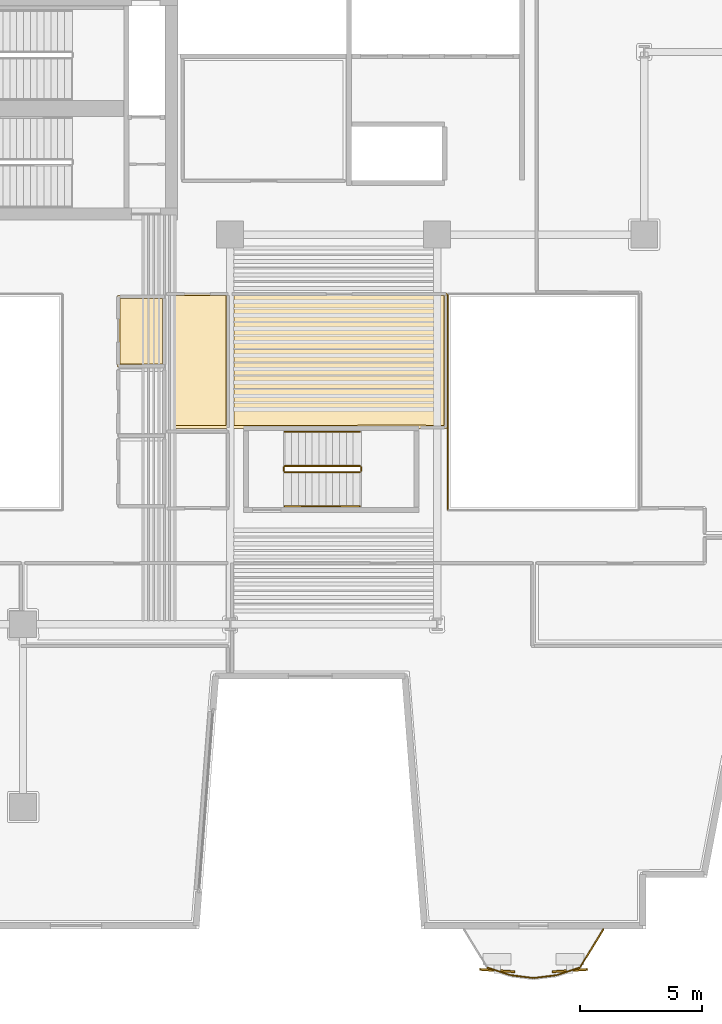
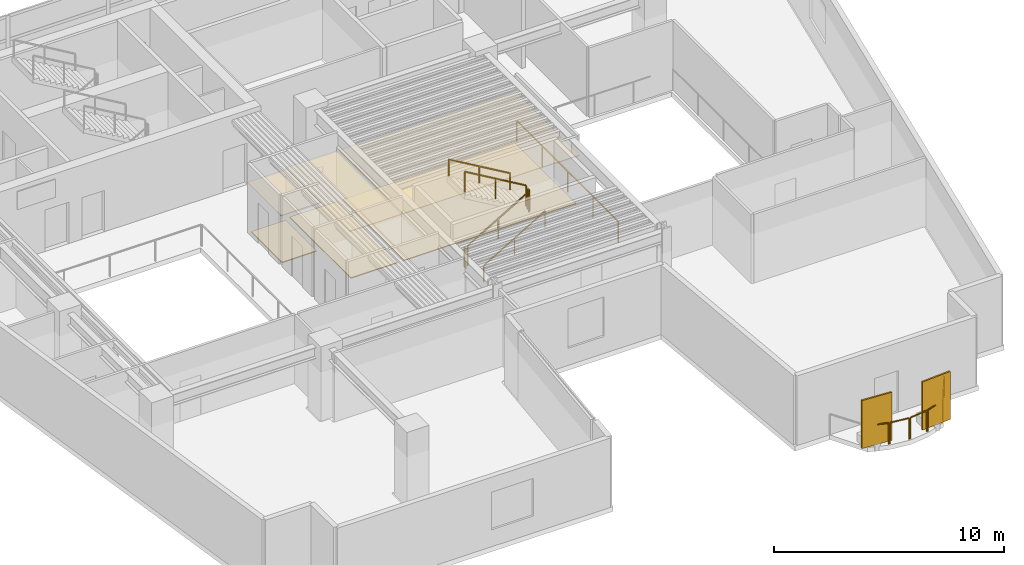
# One storey, part 10 of 12: 12 railings, 6 coverings, 2 shading devices.
"""IFC4 building model written with IfcOpenShell, lengths in metres."""

from ifc_helpers import new_model, si_unit, direction, frame, origin, origin_2d, place, context, subcontext, project, spatial, polyline, rectangle, outline, extrude, material, layer, layer_set, type_object, element, save


model = new_model("IFC4")

# Units and contexts
model_context = context("Model", 3, precision=1e-05, world=origin(), true_north=direction((0.0, 1.0)))
body_context = subcontext(model_context, "Body", "Model", "MODEL_VIEW")
ifc_project = project(units=[si_unit("LENGTHUNIT", "METRE"), si_unit("AREAUNIT", "SQUARE_METRE"), si_unit("VOLUMEUNIT", "CUBIC_METRE"), si_unit("PLANEANGLEUNIT", "RADIAN"), si_unit("MASSUNIT", "GRAM", prefix="KILO")], contexts=[model_context])

# Site, building, storey
site_placement = place(None, origin())
site = spatial("IfcSite", under=ifc_project, at=site_placement, CompositionType="ELEMENT")
building_placement = place(site_placement, origin())
building = spatial("IfcBuilding", under=site, at=building_placement, Name="Caeloran Harvest Quay", CompositionType="ELEMENT")
storey_placement = place(building_placement, frame((0.0, 0.0, 111.39990234375)))
storey = spatial("IfcBuildingStorey", under=building, at=storey_placement, Name="L25", CompositionType="ELEMENT", Elevation=111.39990234375)

# Coverings
ifc_material_1 = material(Name="Perforated Mineral-Fibre Acoustic Ceiling Tile", Category="ceiling")
ifc_layer_1 = layer(ifc_material_1, 0.0400390625, Name="Perforated Mineral-Fibre Acoustic Ceiling Tile")
ifc_layer_set_1 = layer_set([ifc_layer_1], Name="Perforated Mineral-Fibre Acoustic Ceiling Tile")
covering_type_1 = type_object("IfcCoveringType", Name="COV-CEILING-ACOUSTIC", PredefinedType="CEILING", material=ifc_layer_set_1)
covering_1_placement = place(storey_placement, frame((0.0, 0.0, 2.60009765625)))
element("IfcCovering", 1, at=covering_1_placement, inside=storey, type_object=covering_type_1, Name="L25 Male Washroom WC Acoustic Ceiling", PredefinedType="CEILING", context=body_context, shape_type="SweptSolid", body=[
    extrude(outline(polyline([(22.840087890625, 25.56005859375), (20.8701171875, 25.56005859375), (20.8701171875, 28.489990234375), (22.840087890625, 28.489990234375), (22.840087890625, 25.56005859375)])), origin(), (0.0, 0.0, 1.0), 0.0400390625),
])
covering_2_placement = place(storey_placement, frame((0.0, 0.0, 2.60009765625)))
element("IfcCovering", 2, at=covering_2_placement, inside=storey, type_object=covering_type_1, Name="Instrument Calibration Laboratory Acoustic Ceiling", PredefinedType="CEILING", context=body_context, shape_type="SweptSolid", body=[
    extrude(outline(polyline([(22.8701171875, 28.512939453125), (22.85009765625, 28.52001953125), (22.85009765625, 28.610107421875), (25.4599609375, 28.610107421875), (25.4599609375, 23.0400390625), (22.8701171875, 23.0400390625), (22.8701171875, 28.512939453125)])), origin(), (0.0, 0.0, 1.0), 0.0400390625),
])
covering_3_placement = place(storey_placement, frame((0.0, 0.0, 2.60009765625)))
element("IfcCovering", 3, at=covering_3_placement, inside=storey, type_object=covering_type_1, Name="Agri-Robotics Open Research Workspace 8 Acoustic Ceiling", PredefinedType="CEILING", context=body_context, shape_type="SweptSolid", body=[
    extrude(outline(polyline([(26.13720703125, 23.06005859375), (26.1298828125, 23.0400390625), (25.5400390625, 23.0400390625), (25.5400390625, 28.610107421875), (34.409912109375, 28.610107421875), (34.409912109375, 23.0400390625), (33.170166015625, 23.0400390625), (33.162841796875, 23.06005859375), (26.13720703125, 23.06005859375)])), origin(), (0.0, 0.0, 1.0), 0.0400390625),
])
ifc_material_2 = material(Name="Calcium-Sulphate Raised Access Floor and Terrazzo Finish", Category="flooring")
ifc_layer_2 = layer(ifc_material_2, 0.050048828125, Name="Calcium-Sulphate Raised Access Floor and Terrazzo Finish")
ifc_layer_set_2 = layer_set([ifc_layer_2], Name="Calcium-Sulphate Raised Access Floor and Terrazzo Finish")
covering_type_2 = type_object("IfcCoveringType", Name="COV-FLOOR-RAISED", PredefinedType="FLOORING", material=ifc_layer_set_2)
covering_4_placement = place(storey_placement, origin())
element("IfcCovering", 4, at=covering_4_placement, inside=storey, type_object=covering_type_2, Name="L25 Male Washroom WC Raised Finish Flooring", PredefinedType="FLOORING", context=body_context, shape_type="SweptSolid", body=[
    extrude(outline(polyline([(22.719970703125, 25.679931640625), (20.989990234375, 25.679931640625), (20.989990234375, 28.3701171875), (22.719970703125, 28.3701171875), (22.719970703125, 25.679931640625)])), origin(), (0.0, 0.0, 1.0), 0.050048828125),
])
covering_5_placement = place(storey_placement, origin())
element("IfcCovering", 5, at=covering_5_placement, inside=storey, type_object=covering_type_2, Name="Instrument Calibration Laboratory Raised Finish Flooring", PredefinedType="FLOORING", context=body_context, shape_type="SweptSolid", body=[
    extrude(outline(polyline([(22.989990234375, 28.489990234375), (25.340087890625, 28.489990234375), (25.340087890625, 23.159912109375), (22.989990234375, 23.159912109375), (22.989990234375, 28.489990234375)])), origin(), (0.0, 0.0, 1.0), 0.050048828125),
])
covering_6_placement = place(storey_placement, origin())
element("IfcCovering", 6, at=covering_6_placement, inside=storey, type_object=covering_type_2, Name="Agri-Robotics Open Research Workspace 8 Raised Finish Flooring", PredefinedType="FLOORING", context=body_context, shape_type="SweptSolid", body=[
    extrude(outline(polyline([(33.169921875, 23.179931640625), (25.659912109375, 23.159912109375), (25.659912109375, 28.489990234375), (34.2900390625, 28.489990234375), (34.2900390625, 23.159912109375), (33.169921875, 23.179931640625)])), origin(), (0.0, 0.0, 1.0), 0.050048828125),
])

# Railings
ifc_material_3 = material(Name="Powder-Coated Steel Post and Laminated Glass Guardrail", Category="steel")
ifc_layer_3 = layer(ifc_material_3, 0.06005859375, Name="Powder-Coated Steel Post and Laminated Glass Guardrail")
ifc_layer_set_3 = layer_set([ifc_layer_3], Name="Powder-Coated Steel Post and Laminated Glass Guardrail")
railing_type_1 = type_object("IfcRailingType", Name="GUARD-ATRIUM-1150", PredefinedType="GUARDRAIL", material=ifc_layer_set_3)
railing_1_placement = place(storey_placement, frame((34.429931640625, 28.5380859375, 0.0)))
element("IfcRailing", 7, at=railing_1_placement, inside=storey, type_object=railing_type_1, Name="L25 East Botanical Lightwell Guardrail Seg 4", PredefinedType="GUARDRAIL", context=body_context, shape_type="SweptSolid", body=[
    extrude(rectangle(XDim=0.048095703125, YDim=0.048095703125, at=origin_2d()), frame((0.0, 0.0, 1.1259765625), z_axis=(0.0, -1.0, 0.0), x_axis=(1.0, 0.0, 0.0)), (0.0, 0.0, 1.0), 8.826171875),
    extrude(rectangle(XDim=0.0419921875, YDim=0.0419921875, at=origin_2d()), origin(), (0.0, 0.0, 1.0), 1.101806640625),
    extrude(rectangle(XDim=0.0419921875, YDim=0.0419921875, at=origin_2d()), frame((0.0, -2.20654296875, 0.0)), (0.0, 0.0, 1.0), 1.101806640625),
    extrude(rectangle(XDim=0.0419921875, YDim=0.0419921875, at=origin_2d()), frame((0.0, -4.4130859375, 0.0)), (0.0, 0.0, 1.0), 1.101806640625),
    extrude(rectangle(XDim=0.0419921875, YDim=0.0419921875, at=origin_2d()), frame((0.0, -6.61962890625, 0.0)), (0.0, 0.0, 1.0), 1.101806640625),
    extrude(rectangle(XDim=0.0419921875, YDim=0.0419921875, at=origin_2d()), frame((0.0, -8.826171875, 0.0)), (0.0, 0.0, 1.0), 1.101806640625),
])
ifc_material_4 = material(Name="Laminated Safety Glass and Stainless Steel 316", Category="steel")
ifc_layer_4 = layer(ifc_material_4, 0.06005859375, Name="Laminated Safety Glass and Stainless Steel 316")
ifc_layer_set_4 = layer_set([ifc_layer_4], Name="Laminated Safety Glass and Stainless Steel 316")
railing_type_2 = type_object("IfcRailingType", Name="GUARD-BALUSTRADE-1150", PredefinedType="BALUSTRADE", material=ifc_layer_set_4)
railing_2_placement = place(storey_placement, frame((40.825927734375, 2.47998046875, 0.0)))
element("IfcRailing", 8, at=railing_2_placement, inside=storey, type_object=railing_type_2, Name="L25 Planted Balcony Perimeter Balustrade Guard Seg 1", PredefinedType="BALUSTRADE", context=body_context, shape_type="SweptSolid", body=[
    extrude(rectangle(XDim=0.048095703125, YDim=0.048095703125, at=origin_2d()), frame((0.0, 0.0, 1.1259765625), z_axis=(-0.522460171992, -0.852663690257, 0.0), x_axis=(0.852663690257, -0.522460171992, 0.0)), (0.0, 0.0, 1.0), 1.798095703125),
    extrude(rectangle(XDim=0.0419921875, YDim=0.0419921875, at=origin_2d()), origin(), (0.0, 0.0, 1.0), 1.101806640625),
    extrude(rectangle(XDim=0.0419921875, YDim=0.0419921875, at=origin_2d()), frame((-0.939453125, -1.533203125, 0.0)), (0.0, 0.0, 1.0), 1.101806640625),
])
railing_3_placement = place(storey_placement, frame((39.839599609375, 0.9091796875, 0.0)))
element("IfcRailing", 9, at=railing_3_placement, inside=storey, type_object=railing_type_2, Name="L25 Planted Balcony Perimeter Balustrade Guard Seg 2", PredefinedType="BALUSTRADE", context=body_context, shape_type="SweptSolid", body=[
    extrude(rectangle(XDim=0.048095703125, YDim=0.048095703125, at=origin_2d()), frame((0.0, 0.0, 1.1259765625), z_axis=(-0.947644813733, -0.31932633309, 0.0), x_axis=(0.31932633309, -0.947644813733, 0.0)), (0.0, 0.0, 1.0), 0.945068359375),
    extrude(rectangle(XDim=0.0419921875, YDim=0.0419921875, at=origin_2d()), origin(), (0.0, 0.0, 1.0), 1.101806640625),
    extrude(rectangle(XDim=0.0419921875, YDim=0.0419921875, at=origin_2d()), frame((-0.8955078125, -0.3017578125, 0.0)), (0.0, 0.0, 1.0), 1.101806640625),
])
railing_4_placement = place(storey_placement, frame((38.8818359375, 0.59326171875, 0.0)))
element("IfcRailing", 10, at=railing_4_placement, inside=storey, type_object=railing_type_2, Name="L25 Planted Balcony Perimeter Balustrade Guard Seg 3", PredefinedType="BALUSTRADE", context=body_context, shape_type="SweptSolid", body=[
    extrude(rectangle(XDim=0.048095703125, YDim=0.048095703125, at=origin_2d()), frame((0.0, 0.0, 1.1259765625), z_axis=(-0.992444026778, -0.122698222129, 0.0), x_axis=(0.122698222129, -0.992444026778, 0.0)), (0.0, 0.0, 1.0), 0.8994140625),
    extrude(rectangle(XDim=0.0419921875, YDim=0.0419921875, at=origin_2d()), origin(), (0.0, 0.0, 1.0), 1.101806640625),
    extrude(rectangle(XDim=0.0419921875, YDim=0.0419921875, at=origin_2d()), frame((-0.892578125, -0.1103515625, 0.0)), (0.0, 0.0, 1.0), 1.101806640625),
])
railing_5_placement = place(storey_placement, frame((37.92578125, 0.48291015625, 0.0)))
element("IfcRailing", 11, at=railing_5_placement, inside=storey, type_object=railing_type_2, Name="L25 Planted Balcony Perimeter Balustrade Guard Seg 4", PredefinedType="BALUSTRADE", context=body_context, shape_type="SweptSolid", body=[
    extrude(rectangle(XDim=0.048095703125, YDim=0.048095703125, at=origin_2d()), frame((0.0, 0.0, 1.1259765625), z_axis=(-0.992444026778, 0.122698222129, 0.0), x_axis=(-0.122698222129, -0.992444026778, 0.0)), (0.0, 0.0, 1.0), 0.8994140625),
    extrude(rectangle(XDim=0.0419921875, YDim=0.0419921875, at=origin_2d()), origin(), (0.0, 0.0, 1.0), 1.101806640625),
    extrude(rectangle(XDim=0.0419921875, YDim=0.0419921875, at=origin_2d()), frame((-0.892578125, 0.1103515625, 0.0)), (0.0, 0.0, 1.0), 1.101806640625),
])
railing_6_placement = place(storey_placement, frame((36.970947265625, 0.607421875, 0.0)))
element("IfcRailing", 12, at=railing_6_placement, inside=storey, type_object=railing_type_2, Name="L25 Planted Balcony Perimeter Balustrade Guard Seg 5", PredefinedType="BALUSTRADE", context=body_context, shape_type="SweptSolid", body=[
    extrude(rectangle(XDim=0.048095703125, YDim=0.048095703125, at=origin_2d()), frame((0.0, 0.0, 1.1259765625), z_axis=(-0.947644813733, 0.31932633309, 0.0), x_axis=(-0.31932633309, -0.947644813733, 0.0)), (0.0, 0.0, 1.0), 0.945068359375),
    extrude(rectangle(XDim=0.0419921875, YDim=0.0419921875, at=origin_2d()), origin(), (0.0, 0.0, 1.0), 1.101806640625),
    extrude(rectangle(XDim=0.0419921875, YDim=0.0419921875, at=origin_2d()), frame((-0.8955078125, 0.3017578125, 0.0)), (0.0, 0.0, 1.0), 1.101806640625),
])

# Shading devices
ifc_material_5 = material(Name="3003-H14 Perforated Powder-Coated Aluminium", Category="aluminium")
shading_device_type = type_object("IfcShadingDeviceType", Name="SHADE-SCREEN-FOLDED", PredefinedType="USERDEFINED", material=ifc_material_5)
for number, where, z_axis, x_axis, name in (
    (13, (39.44921875, 0.78515625, 0.0751953125), (0.0, 0.0, 1.0), (0.997801468292, 0.0662739004, 0.0), "L25 Folded Facade Breathing Screen 1"),
    (14, (36.4658203125, 0.78515625, 0.0751953125), (0.0, 0.0, 1.0), (0.997801468292, -0.0662739004, 0.0), "L25 Folded Facade Breathing Screen 2"),
):
    element("IfcShadingDevice", number, at=place(storey_placement, frame(where, z_axis=z_axis, x_axis=x_axis)), inside=storey, type_object=shading_device_type, Name=name, ObjectType="SCREEN", PredefinedType="USERDEFINED", context=body_context, shape_type="SweptSolid", body=[
        extrude(rectangle(XDim=1.449951171875, YDim=0.080078125, at=origin_2d()), origin(), (0.0, 0.0, 1.0), 2.550048828125),
    ])

# Railings
ifc_material_6 = material(Name="Painted Steel Baluster and Top-Rail Stair Guard", Category="steel")
ifc_layer_5 = layer(ifc_material_6, 0.050048828125, Name="Painted Steel Baluster and Top-Rail Stair Guard")
ifc_layer_set_5 = layer_set([ifc_layer_5], Name="Painted Steel Baluster and Top-Rail Stair Guard")
railing_type_3 = type_object("IfcRailingType", Name="STAIR-GUARD-1100", PredefinedType="GUARDRAIL", material=ifc_layer_set_5)
railing_7_placement = place(storey_placement, frame((27.75, 21.25, 0.164794921875)))
element("IfcRailing", 15, at=railing_7_placement, inside=storey, type_object=railing_type_3, Name="L25 ST-W1 stair guard 1", PredefinedType="GUARDRAIL", context=body_context, shape_type="SweptSolid", body=[
    extrude(rectangle(XDim=0.048095703125, YDim=0.048095703125, at=origin_2d()), frame((0.0, 0.0, 1.076171875), z_axis=(0.862118610829, 0.0, 0.506706523406), x_axis=(0.0, 1.0, 0.0)), (0.0, 0.0, 1.0), 3.57275390625),
    extrude(rectangle(XDim=0.0419921875, YDim=0.0419921875, at=origin_2d()), origin(), (0.0, 0.0, 1.0), 1.052001953125),
    extrude(rectangle(XDim=0.0419921875, YDim=0.0419921875, at=origin_2d()), frame((1.5400390625, 0.0, 0.9052734375)), (0.0, 0.0, 1.0), 1.052001953125),
    extrude(rectangle(XDim=0.0419921875, YDim=0.0419921875, at=origin_2d()), frame((3.080078125, 0.0, 1.810302734375)), (0.0, 0.0, 1.0), 1.052001953125),
])
railing_8_placement = place(storey_placement, frame((30.8798828125, 21.300048828125, 1.97509765625)))
element("IfcRailing", 16, at=railing_8_placement, inside=storey, type_object=railing_type_3, Name="L25 ST-W1 stair guard 2", PredefinedType="GUARDRAIL", context=body_context, shape_type="SweptSolid", body=[
    extrude(rectangle(XDim=0.048095703125, YDim=0.048095703125, at=origin_2d()), frame((0.0, 0.0, 1.076171875), z_axis=(0.0, 1.0, 0.0), x_axis=(-1.0, 0.0, 0.0)), (0.0, 0.0, 1.0), 0.14990234375),
    extrude(rectangle(XDim=0.0419921875, YDim=0.0419921875, at=origin_2d()), origin(), (0.0, 0.0, 1.0), 1.052001953125),
    extrude(rectangle(XDim=0.0419921875, YDim=0.0419921875, at=origin_2d()), frame((0.0, 0.14990234375, 0.0)), (0.0, 0.0, 1.0), 1.052001953125),
])
railing_9_placement = place(storey_placement, frame((30.830078125, 21.5, 2.1396484375)))
element("IfcRailing", 17, at=railing_9_placement, inside=storey, type_object=railing_type_3, Name="L25 ST-W1 stair guard 3", PredefinedType="GUARDRAIL", context=body_context, shape_type="SweptSolid", body=[
    extrude(rectangle(XDim=0.048095703125, YDim=0.048095703125, at=origin_2d()), frame((0.0, 0.0, 1.076171875), z_axis=(-0.862088758681, 0.0, 0.506757310905), x_axis=(0.0, -1.0, 0.0)), (0.0, 0.0, 1.0), 3.57275390625),
    extrude(rectangle(XDim=0.0419921875, YDim=0.0419921875, at=origin_2d()), origin(), (0.0, 0.0, 1.0), 1.052001953125),
    extrude(rectangle(XDim=0.0419921875, YDim=0.0419921875, at=origin_2d()), frame((-1.5400390625, 0.0, 0.9052734375)), (0.0, 0.0, 1.0), 1.052001953125),
    extrude(rectangle(XDim=0.0419921875, YDim=0.0419921875, at=origin_2d()), frame((-3.080078125, 0.0, 1.810546875)), (0.0, 0.0, 1.0), 1.052001953125),
])
railing_10_placement = place(storey_placement, frame((27.699951171875, 21.300048828125, 0.0)))
element("IfcRailing", 18, at=railing_10_placement, inside=storey, type_object=railing_type_3, Name="L25 ST-W1 stair guard 4", PredefinedType="GUARDRAIL", context=body_context, shape_type="SweptSolid", body=[
    extrude(rectangle(XDim=0.048095703125, YDim=0.048095703125, at=origin_2d()), frame((0.0, 0.0, 1.076171875), z_axis=(0.0, 1.0, 0.0), x_axis=(-1.0, 0.0, 0.0)), (0.0, 0.0, 1.0), 0.14990234375),
    extrude(rectangle(XDim=0.0419921875, YDim=0.0419921875, at=origin_2d()), origin(), (0.0, 0.0, 1.0), 1.052001953125),
    extrude(rectangle(XDim=0.0419921875, YDim=0.0419921875, at=origin_2d()), frame((0.0, 0.14990234375, 0.0)), (0.0, 0.0, 1.0), 1.052001953125),
])
ifc_material_7 = material(Name="Brushed Stainless Steel Grade 304", Category="steel")
ifc_layer_6 = layer(ifc_material_7, 0.050048828125, Name="Brushed Stainless Steel Grade 304")
ifc_layer_set_6 = layer_set([ifc_layer_6], Name="Brushed Stainless Steel Grade 304")
railing_type_4 = type_object("IfcRailingType", Name="STAIR-HANDRAIL-900", PredefinedType="HANDRAIL", material=ifc_layer_set_6)
railing_11_placement = place(storey_placement, frame((27.75, 19.85009765625, 0.164794921875)))
element("IfcRailing", 19, at=railing_11_placement, inside=storey, type_object=railing_type_4, Name="L25 ST-W1 stair handrail 1", PredefinedType="HANDRAIL", context=body_context, shape_type="SweptSolid", body=[
    extrude(rectangle(XDim=0.048095703125, YDim=0.048095703125, at=origin_2d()), frame((0.0, 0.0, 0.8759765625), z_axis=(0.862118610829, 0.0, 0.506706523406), x_axis=(0.0, 1.0, 0.0)), (0.0, 0.0, 1.0), 3.57275390625),
    extrude(rectangle(XDim=0.0419921875, YDim=0.0419921875, at=origin_2d()), origin(), (0.0, 0.0, 1.0), 0.851806640625),
    extrude(rectangle(XDim=0.0419921875, YDim=0.0419921875, at=origin_2d()), frame((1.5400390625, 0.0, 0.9052734375)), (0.0, 0.0, 1.0), 0.851806640625),
    extrude(rectangle(XDim=0.0419921875, YDim=0.0419921875, at=origin_2d()), frame((3.080078125, 0.0, 1.810302734375)), (0.0, 0.0, 1.0), 0.851806640625),
])
railing_12_placement = place(storey_placement, frame((30.830078125, 22.89990234375, 2.1396484375)))
element("IfcRailing", 20, at=railing_12_placement, inside=storey, type_object=railing_type_4, Name="L25 ST-W1 stair handrail 2", PredefinedType="HANDRAIL", context=body_context, shape_type="SweptSolid", body=[
    extrude(rectangle(XDim=0.048095703125, YDim=0.048095703125, at=origin_2d()), frame((0.0, 0.0, 0.8759765625), z_axis=(-0.862088758681, 0.0, 0.506757310905), x_axis=(0.0, -1.0, 0.0)), (0.0, 0.0, 1.0), 3.57275390625),
    extrude(rectangle(XDim=0.0419921875, YDim=0.0419921875, at=origin_2d()), origin(), (0.0, 0.0, 1.0), 0.851806640625),
    extrude(rectangle(XDim=0.0419921875, YDim=0.0419921875, at=origin_2d()), frame((-1.5400390625, 0.0, 0.9052734375)), (0.0, 0.0, 1.0), 0.851806640625),
    extrude(rectangle(XDim=0.0419921875, YDim=0.0419921875, at=origin_2d()), frame((-3.080078125, 0.0, 1.810546875)), (0.0, 0.0, 1.0), 0.851806640625),
])

save(model, "model.ifc")
